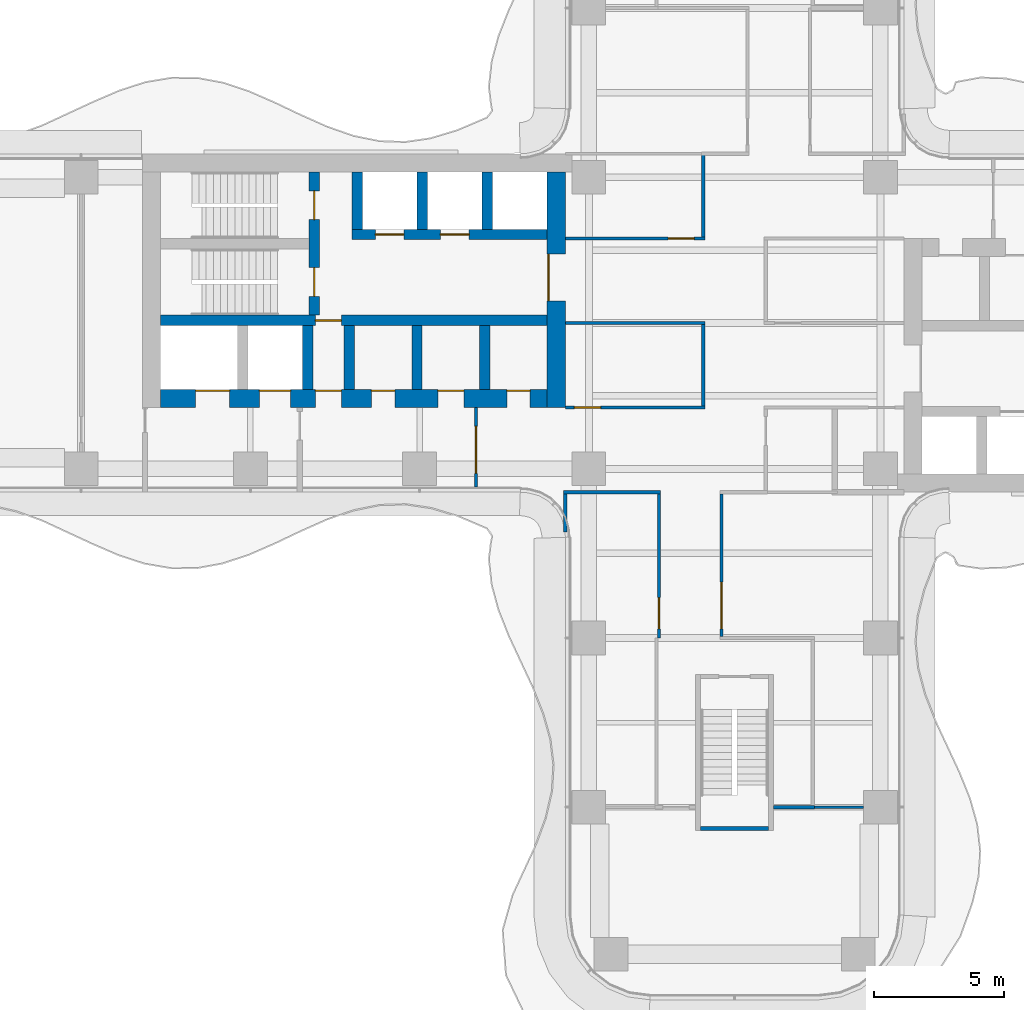
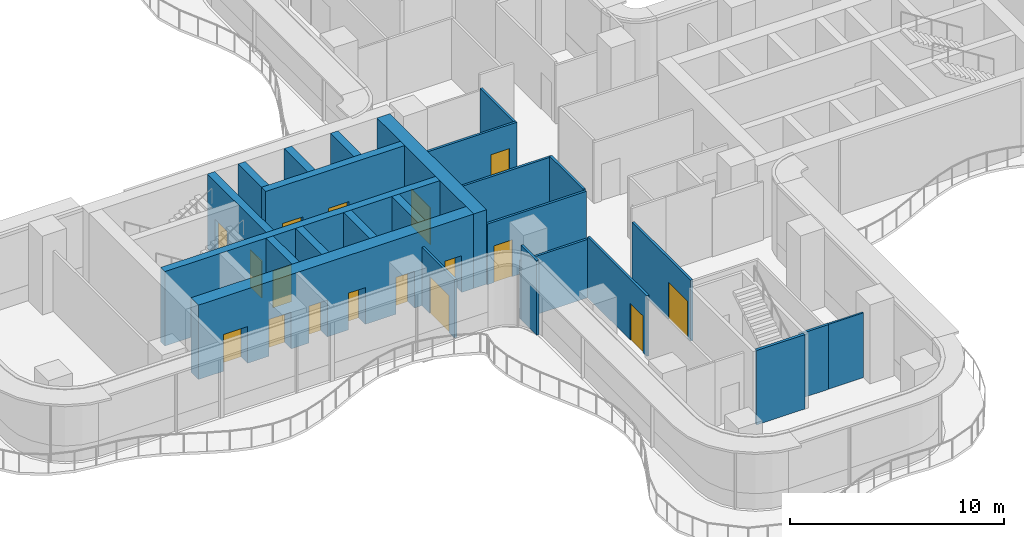
# One storey, part 15 of 20: 25 walls, 17 doors, 17 openings.
"""IFC4 building model written with IfcOpenShell, lengths in metres."""

from ifc_helpers import new_model, si_unit, direction, frame, frame_2d, origin, place, context, subcontext, project, spatial, rectangle, extrude, source, transform, mapped, material, layer, layer_set, type_object, element, fill, save


model = new_model("IFC4")

# Units and contexts
model_context = context("Model", 3, precision=1e-05, world=origin(), true_north=direction((0.0, 1.0)))
body_context = subcontext(model_context, "Body", "Model", "MODEL_VIEW")
ifc_project = project(units=[si_unit("LENGTHUNIT", "METRE"), si_unit("AREAUNIT", "SQUARE_METRE"), si_unit("VOLUMEUNIT", "CUBIC_METRE"), si_unit("PLANEANGLEUNIT", "RADIAN"), si_unit("MASSUNIT", "GRAM", prefix="KILO")], contexts=[model_context])

# Site, building, storey
site_placement = place(None, origin())
site = spatial("IfcSite", under=ifc_project, at=site_placement, CompositionType="ELEMENT")
building_placement = place(site_placement, origin())
building = spatial("IfcBuilding", under=site, at=building_placement, Name="Trellis Farm Tower", CompositionType="ELEMENT")
storey_placement = place(building_placement, frame((0.0, 0.0, 133.5)))
storey = spatial("IfcBuildingStorey", under=building, at=storey_placement, Name="L28", CompositionType="ELEMENT", Elevation=133.5)

# Wall, opening, door
ifc_material_1 = material(Name="Concrete C70/85", Category="concrete")
ifc_layer_1 = layer(ifc_material_1, 0.699951171875)
ifc_layer_set_1 = layer_set([ifc_layer_1], Name="CORE OUTER WALL 700 CONCRETE C70/85")
wall_type_1 = type_object("IfcWallType", Name="CORE OUTER WALL 700 CONCRETE C70/85", PredefinedType="SHEAR", material=ifc_layer_set_1)
shared_shape_1 = source(origin(), body_context, "Body", "SweptSolid", [
    extrude(rectangle(XDim=9.050048828125, YDim=0.699951171875, at=frame_2d((4.52490234375, 0.0))), origin(), (0.0, 0.0, 1.0), 4.25),
])
wall_1_placement = place(storey_placement, frame((-6.85009765625, 5.800048828125, 0.0), z_axis=(0.0, 0.0, 1.0), x_axis=(0.0, -1.0, 0.0)))
wall_1 = element("IfcWall", 1, at=wall_1_placement, inside=storey, type_object=wall_type_1, Name="Core wall", PredefinedType="SHEAR", context=body_context, shape_type="MappedRepresentation", body=[
    mapped(shared_shape_1, transform((0.0, 0.0, 0.0))),
])
shared_shape_2 = source(origin(), body_context, "Body", "SweptSolid", [
    extrude(rectangle(XDim=1.800048828125, YDim=2.10009765625, at=frame_2d((0.89990234375, 1.050048828125))), frame((0.0, 0.360107421875, 0.0), z_axis=(0.0, -1.0, 0.0), x_axis=(1.0, 0.0, 0.0)), (0.0, 0.0, 1.0), 0.72021484375),
])
opening_1_placement = place(wall_1_placement, frame((3.14990234375, 0.0, 0.0)))
opening_1 = element("IfcOpeningElement", 2, at=opening_1_placement, cuts=wall_1, Name="Opening DC87", PredefinedType="OPENING", context=body_context, shape_type="MappedRepresentation", body=[
    mapped(shared_shape_2, transform((0.0, 0.0, 0.0))),
])
ifc_material_2 = material(Name="Steel", Category="steel")
door_type_1 = type_object("IfcDoorType", Name="CORE FIRE DOOR DOUBLE 1800 X 2100", OperationType="DOUBLE_DOOR_SINGLE_SWING", PredefinedType="DOOR", material=ifc_material_2)
shared_shape_3 = source(origin(), body_context, "Body", "SweptSolid", [
    extrude(rectangle(XDim=1.800048828125, YDim=2.10009765625, at=frame_2d((0.89990234375, 1.050048828125))), frame((0.0, -0.27490234375, 0.0), z_axis=(0.0, -1.0, 0.0), x_axis=(1.0, 0.0, 0.0)), (0.0, 0.0, 1.0), 0.050048828125),
])
door_1_placement = place(opening_1_placement, origin())
door_1 = element("IfcDoor", 3, at=door_1_placement, inside=storey, type_object=door_type_1, Name="Core door", OperationType="DOUBLE_DOOR_SINGLE_SWING", OverallHeight=2.10009765625, OverallWidth=1.800048828125, PredefinedType="DOOR", context=body_context, shape_type="MappedRepresentation", body=[
    mapped(shared_shape_3, transform((0.0, 0.0, 0.0))),
])
fill(opening_1, door_1)

# Walls
ifc_layer_2 = layer(ifc_material_1, 0.39990234375)
ifc_layer_set_2 = layer_set([ifc_layer_2], Name="CORE INNER WALL 400 CONCRETE C70/85")
wall_type_2 = type_object("IfcWallType", Name="CORE INNER WALL 400 CONCRETE C70/85", PredefinedType="SHEAR", material=ifc_layer_set_2)
shared_shape_4 = source(origin(), body_context, "Body", "SweptSolid", [
    extrude(rectangle(XDim=2.199951171875, YDim=0.39990234375, at=frame_2d((1.10009765625, 0.0))), origin(), (0.0, 0.0, 1.0), 4.25),
])
for number, where, z_axis, x_axis, name in (
    (4, (-9.5, 5.800048828125, 0.0), (0.0, 0.0, 1.0), (0.0, -1.0, 0.0), "Core wall"),
    (5, (-12.0, 5.800048828125, 0.0), (0.0, 0.0, 1.0), (0.0, -1.0, 0.0), "Core wall"),
    (6, (-14.5, 5.800048828125, 0.0), (0.0, 0.0, 1.0), (0.0, -1.0, 0.0), "Core wall"),
):
    element("IfcWall", number, at=place(storey_placement, frame(where, z_axis=z_axis, x_axis=x_axis)), inside=storey, type_object=wall_type_2, Name=name, PredefinedType="SHEAR", context=body_context, shape_type="MappedRepresentation", body=[
        mapped(shared_shape_4, transform((0.0, 0.0, 0.0))),
    ])
shared_shape_5 = source(origin(), body_context, "Body", "SweptSolid", [
    extrude(rectangle(XDim=2.449951171875, YDim=0.39990234375, at=frame_2d((1.22509765625, 0.0))), origin(), (0.0, 0.0, 1.0), 4.25),
])
for number, where, z_axis, x_axis, name in (
    (7, (-9.60009765625, -0.10009765625, 0.0), (0.0, 0.0, 1.0), (0.0, -1.0, 0.0), "Core wall"),
    (8, (-12.199951171875, -0.10009765625, 0.0), (0.0, 0.0, 1.0), (0.0, -1.0, 0.0), "Core wall"),
    (9, (-14.800048828125, -0.10009765625, 0.0), (0.0, 0.0, 1.0), (0.0, -1.0, 0.0), "Core wall"),
    (10, (-16.39990234375, -0.10009765625, 0.0), (0.0, 0.0, 1.0), (0.0, -1.0, 0.0), "Core wall"),
):
    element("IfcWall", number, at=place(storey_placement, frame(where, z_axis=z_axis, x_axis=x_axis)), inside=storey, type_object=wall_type_2, Name=name, PredefinedType="SHEAR", context=body_context, shape_type="MappedRepresentation", body=[
        mapped(shared_shape_5, transform((0.0, 0.0, 0.0))),
    ])

# Wall, openings, doors
shared_shape_6 = source(origin(), body_context, "Body", "SweptSolid", [
    extrude(rectangle(XDim=14.85009765625, YDim=0.699951171875, at=frame_2d((7.425048828125, 0.0))), origin(), (0.0, 0.0, 1.0), 4.25),
])
wall_2_placement = place(storey_placement, frame((-7.199951171875, -2.89990234375, 0.0), z_axis=(0.0, 0.0, 1.0), x_axis=(-1.0, 0.0, 0.0)))
wall_2 = element("IfcWall", 11, at=wall_2_placement, inside=storey, type_object=wall_type_1, Name="Core wall", PredefinedType="SHEAR", context=body_context, shape_type="MappedRepresentation", body=[
    mapped(shared_shape_6, transform((0.0, 0.0, 0.0))),
])
shared_shape_7 = source(origin(), body_context, "Body", "SweptSolid", [
    extrude(rectangle(XDim=1.300048828125, YDim=2.10009765625, at=frame_2d((0.64990234375, 1.050048828125))), frame((0.0, 0.360107421875, 0.0), z_axis=(0.0, -1.0, 0.0), x_axis=(1.0, 0.0, 0.0)), (0.0, 0.0, 1.0), 0.72021484375),
])
opening_2_placement = place(wall_2_placement, frame((12.199951171875, 0.0, 0.0)))
opening_2 = element("IfcOpeningElement", 12, at=opening_2_placement, cuts=wall_2, Name="Opening LD15", PredefinedType="OPENING", context=body_context, shape_type="MappedRepresentation", body=[
    mapped(shared_shape_7, transform((0.0, 0.0, 0.0))),
])
shared_shape_8 = source(origin(), body_context, "Body", "SweptSolid", [
    extrude(rectangle(XDim=1.199951171875, YDim=2.10009765625, at=frame_2d((0.60009765625, 1.050048828125))), frame((0.0, 0.360107421875, 0.0), z_axis=(0.0, -1.0, 0.0), x_axis=(1.0, 0.0, 0.0)), (0.0, 0.0, 1.0), 0.72021484375),
])
opening_3_placement = place(wall_2_placement, frame((9.85009765625, 0.0, 0.0)))
opening_3 = element("IfcOpeningElement", 13, at=opening_3_placement, cuts=wall_2, Name="Opening LD16", PredefinedType="OPENING", context=body_context, shape_type="MappedRepresentation", body=[
    mapped(shared_shape_8, transform((0.0, 0.0, 0.0))),
])
shared_shape_9 = source(origin(), body_context, "Body", "SweptSolid", [
    extrude(rectangle(XDim=1.0, YDim=2.10009765625, at=frame_2d((0.5, 1.050048828125))), frame((0.0, 0.360107421875, 0.0), z_axis=(0.0, -1.0, 0.0), x_axis=(1.0, 0.0, 0.0)), (0.0, 0.0, 1.0), 0.72021484375),
])
opening_4_placement = place(wall_2_placement, frame((7.89990234375, 0.0, 0.0)))
opening_4 = element("IfcOpeningElement", 14, at=opening_4_placement, cuts=wall_2, Name="Opening DC92", PredefinedType="OPENING", context=body_context, shape_type="MappedRepresentation", body=[
    mapped(shared_shape_9, transform((0.0, 0.0, 0.0))),
])
shared_shape_10 = source(origin(), body_context, "Body", "SweptSolid", [
    extrude(rectangle(XDim=0.89990234375, YDim=2.10009765625, at=frame_2d((0.449951171875, 1.050048828125))), frame((0.0, 0.360107421875, 0.0), z_axis=(0.0, -1.0, 0.0), x_axis=(1.0, 0.0, 0.0)), (0.0, 0.0, 1.0), 0.72021484375),
])
opening_5_placement = place(wall_2_placement, frame((0.64990234375, 0.0, 0.0)))
opening_5 = element("IfcOpeningElement", 15, at=opening_5_placement, cuts=wall_2, Name="Opening DC97", PredefinedType="OPENING", context=body_context, shape_type="MappedRepresentation", body=[
    mapped(shared_shape_10, transform((0.0, 0.0, 0.0))),
])
opening_6_placement = place(wall_2_placement, frame((3.199951171875, 0.0, 0.0)))
opening_6 = element("IfcOpeningElement", 16, at=opening_6_placement, cuts=wall_2, Name="Opening DC112", PredefinedType="OPENING", context=body_context, shape_type="MappedRepresentation", body=[
    mapped(shared_shape_9, transform((0.0, 0.0, 0.0))),
])
opening_7_placement = place(wall_2_placement, frame((5.85009765625, 0.0, 0.0)))
opening_7 = element("IfcOpeningElement", 17, at=opening_7_placement, cuts=wall_2, Name="Opening DC121", PredefinedType="OPENING", context=body_context, shape_type="MappedRepresentation", body=[
    mapped(shared_shape_10, transform((0.0, 0.0, 0.0))),
])
door_type_2 = type_object("IfcDoorType", Name="CORE FIRE DOOR 1000 X 2100", OperationType="NOTDEFINED", PredefinedType="DOOR", material=ifc_material_2)
shared_shape_11 = source(origin(), body_context, "Body", "SweptSolid", [
    extrude(rectangle(XDim=1.0, YDim=2.10009765625, at=frame_2d((0.5, 1.050048828125))), frame((0.0, -0.27490234375, 0.0), z_axis=(0.0, -1.0, 0.0), x_axis=(1.0, 0.0, 0.0)), (0.0, 0.0, 1.0), 0.050048828125),
])
door_2_placement = place(opening_4_placement, origin())
door_2 = element("IfcDoor", 18, at=door_2_placement, inside=storey, type_object=door_type_2, Name="Core door", OperationType="SINGLE_SWING_LEFT", OverallHeight=2.10009765625, OverallWidth=1.0, PredefinedType="DOOR", context=body_context, shape_type="MappedRepresentation", body=[
    mapped(shared_shape_11, transform((0.0, 0.0, 0.0))),
])
fill(opening_4, door_2)
door_3_placement = place(opening_6_placement, origin())
door_3 = element("IfcDoor", 19, at=door_3_placement, inside=storey, type_object=door_type_2, Name="Core door", OperationType="SINGLE_SWING_RIGHT", OverallHeight=2.10009765625, OverallWidth=1.0, PredefinedType="DOOR", context=body_context, shape_type="MappedRepresentation", body=[
    mapped(shared_shape_11, transform((0.0, 0.0, 0.0))),
])
fill(opening_6, door_3)
door_type_3 = type_object("IfcDoorType", Name="CORE FIRE DOOR 900 X 2100", OperationType="NOTDEFINED", PredefinedType="DOOR", material=ifc_material_2)
shared_shape_12 = source(origin(), body_context, "Body", "SweptSolid", [
    extrude(rectangle(XDim=0.89990234375, YDim=2.10009765625, at=frame_2d((0.449951171875, 1.050048828125))), frame((0.0, -0.27490234375, 0.0), z_axis=(0.0, -1.0, 0.0), x_axis=(1.0, 0.0, 0.0)), (0.0, 0.0, 1.0), 0.050048828125),
])
door_4_placement = place(opening_5_placement, origin())
door_4 = element("IfcDoor", 20, at=door_4_placement, inside=storey, type_object=door_type_3, Name="Core door", OperationType="SINGLE_SWING_LEFT", OverallHeight=2.10009765625, OverallWidth=0.89990234375, PredefinedType="DOOR", context=body_context, shape_type="MappedRepresentation", body=[
    mapped(shared_shape_12, transform((0.0, 0.0, 0.0))),
])
fill(opening_5, door_4)
door_5_placement = place(opening_7_placement, origin())
door_5 = element("IfcDoor", 21, at=door_5_placement, inside=storey, type_object=door_type_3, Name="Core door", OperationType="SINGLE_SWING_LEFT", OverallHeight=2.10009765625, OverallWidth=0.89990234375, PredefinedType="DOOR", context=body_context, shape_type="MappedRepresentation", body=[
    mapped(shared_shape_12, transform((0.0, 0.0, 0.0))),
])
fill(opening_7, door_5)
ifc_material_3 = material(Name="Stainless steel", Category="steel")
door_type_4 = type_object("IfcDoorType", Name="LIFT LANDING DOOR 1300 X 2100", OperationType="DOUBLE_DOOR_SLIDING", PredefinedType="DOOR", material=ifc_material_3)
shared_shape_13 = source(origin(), body_context, "Body", "SweptSolid", [
    extrude(rectangle(XDim=1.300048828125, YDim=2.10009765625, at=frame_2d((0.64990234375, 1.050048828125))), frame((0.0, -0.27490234375, 0.0), z_axis=(0.0, -1.0, 0.0), x_axis=(1.0, 0.0, 0.0)), (0.0, 0.0, 1.0), 0.050048828125),
])
door_6_placement = place(opening_2_placement, origin())
door_6 = element("IfcDoor", 22, at=door_6_placement, inside=storey, type_object=door_type_4, Name="Lift landing door", OperationType="DOUBLE_DOOR_SLIDING", OverallHeight=2.10009765625, OverallWidth=1.300048828125, PredefinedType="DOOR", context=body_context, shape_type="MappedRepresentation", body=[
    mapped(shared_shape_13, transform((0.0, 0.0, 0.0))),
])
fill(opening_2, door_6)
door_type_5 = type_object("IfcDoorType", Name="LIFT LANDING DOOR 1200 X 2100", OperationType="DOUBLE_DOOR_SLIDING", PredefinedType="DOOR", material=ifc_material_3)
shared_shape_14 = source(origin(), body_context, "Body", "SweptSolid", [
    extrude(rectangle(XDim=1.199951171875, YDim=2.10009765625, at=frame_2d((0.60009765625, 1.050048828125))), frame((0.0, -0.27490234375, 0.0), z_axis=(0.0, -1.0, 0.0), x_axis=(1.0, 0.0, 0.0)), (0.0, 0.0, 1.0), 0.050048828125),
])
door_7_placement = place(opening_3_placement, origin())
door_7 = element("IfcDoor", 23, at=door_7_placement, inside=storey, type_object=door_type_5, Name="Lift landing door", OperationType="DOUBLE_DOOR_SLIDING", OverallHeight=2.10009765625, OverallWidth=1.199951171875, PredefinedType="DOOR", context=body_context, shape_type="MappedRepresentation", body=[
    mapped(shared_shape_14, transform((0.0, 0.0, 0.0))),
])
fill(opening_3, door_7)

shared_shape_15 = source(origin(), body_context, "Body", "SweptSolid", [
    extrude(rectangle(XDim=7.5, YDim=0.39990234375, at=frame_2d((3.75, 0.0))), origin(), (0.0, 0.0, 1.0), 4.25),
])
wall_3_placement = place(storey_placement, frame((-7.199951171875, 3.39990234375, 0.0), z_axis=(0.0, 0.0, 1.0), x_axis=(-1.0, 0.0, 0.0)))
wall_3 = element("IfcWall", 24, at=wall_3_placement, inside=storey, type_object=wall_type_2, Name="Core wall", PredefinedType="SHEAR", context=body_context, shape_type="MappedRepresentation", body=[
    mapped(shared_shape_15, transform((0.0, 0.0, 0.0))),
])
shared_shape_16 = source(origin(), body_context, "Body", "SweptSolid", [
    extrude(rectangle(XDim=1.10009765625, YDim=2.10009765625, at=frame_2d((0.550048828125, 1.050048828125))), frame((0.0, 0.2099609375, 0.0), z_axis=(0.0, -1.0, 0.0), x_axis=(1.0, 0.0, 0.0)), (0.0, 0.0, 1.0), 0.419921875),
])
opening_8_placement = place(wall_3_placement, frame((3.0, 0.0, 0.0)))
opening_8 = element("IfcOpeningElement", 25, at=opening_8_placement, cuts=wall_3, Name="Opening LD10", PredefinedType="OPENING", context=body_context, shape_type="MappedRepresentation", body=[
    mapped(shared_shape_16, transform((0.0, 0.0, 0.0))),
])
opening_9_placement = place(wall_3_placement, frame((5.5, 0.0, 0.0)))
opening_9 = element("IfcOpeningElement", 26, at=opening_9_placement, cuts=wall_3, Name="Opening LD11", PredefinedType="OPENING", context=body_context, shape_type="MappedRepresentation", body=[
    mapped(shared_shape_16, transform((0.0, 0.0, 0.0))),
])
door_type_6 = type_object("IfcDoorType", Name="LIFT LANDING DOOR 1100 X 2100", OperationType="DOUBLE_DOOR_SLIDING", PredefinedType="DOOR", material=ifc_material_3)
shared_shape_17 = source(origin(), body_context, "Body", "SweptSolid", [
    extrude(rectangle(XDim=1.10009765625, YDim=2.10009765625, at=frame_2d((0.550048828125, 1.050048828125))), frame((0.0, 0.02490234375, 0.0), z_axis=(0.0, -1.0, 0.0), x_axis=(1.0, 0.0, 0.0)), (0.0, 0.0, 1.0), 0.050048828125),
])
door_8_placement = place(opening_8_placement, origin())
door_8 = element("IfcDoor", 27, at=door_8_placement, inside=storey, type_object=door_type_6, Name="Lift landing door", OperationType="DOUBLE_DOOR_SLIDING", OverallHeight=2.10009765625, OverallWidth=1.10009765625, PredefinedType="DOOR", context=body_context, shape_type="MappedRepresentation", body=[
    mapped(shared_shape_17, transform((0.0, 0.0, 0.0))),
])
fill(opening_8, door_8)
door_9_placement = place(opening_9_placement, origin())
door_9 = element("IfcDoor", 28, at=door_9_placement, inside=storey, type_object=door_type_6, Name="Lift landing door", OperationType="DOUBLE_DOOR_SLIDING", OverallHeight=2.10009765625, OverallWidth=1.10009765625, PredefinedType="DOOR", context=body_context, shape_type="MappedRepresentation", body=[
    mapped(shared_shape_17, transform((0.0, 0.0, 0.0))),
])
fill(opening_9, door_9)

# Wall, opening, door
shared_shape_18 = source(origin(), body_context, "Body", "SweptSolid", [
    extrude(rectangle(XDim=14.85009765625, YDim=0.39990234375, at=frame_2d((7.425048828125, 0.0))), origin(), (0.0, 0.0, 1.0), 4.25),
])
wall_4_placement = place(storey_placement, frame((-7.199951171875, 0.10009765625, 0.0), z_axis=(0.0, 0.0, 1.0), x_axis=(-1.0, 0.0, 0.0)))
wall_4 = element("IfcWall", 29, at=wall_4_placement, inside=storey, type_object=wall_type_2, Name="Core wall", PredefinedType="SHEAR", context=body_context, shape_type="MappedRepresentation", body=[
    mapped(shared_shape_18, transform((0.0, 0.0, 0.0))),
])
shared_shape_19 = source(origin(), body_context, "Body", "SweptSolid", [
    extrude(rectangle(XDim=1.0, YDim=2.10009765625, at=frame_2d((0.5, 1.050048828125))), frame((0.0, 0.2099609375, 0.0), z_axis=(0.0, -1.0, 0.0), x_axis=(1.0, 0.0, 0.0)), (0.0, 0.0, 1.0), 0.419921875),
])
opening_10_placement = place(wall_4_placement, frame((7.89990234375, 0.0, 0.0)))
opening_10 = element("IfcOpeningElement", 30, at=opening_10_placement, cuts=wall_4, Name="Opening DC91", PredefinedType="OPENING", context=body_context, shape_type="MappedRepresentation", body=[
    mapped(shared_shape_19, transform((0.0, 0.0, 0.0))),
])
shared_shape_20 = source(origin(), body_context, "Body", "SweptSolid", [
    extrude(rectangle(XDim=1.0, YDim=2.10009765625, at=frame_2d((0.5, 1.050048828125))), frame((0.0, 0.02490234375, 0.0), z_axis=(0.0, -1.0, 0.0), x_axis=(1.0, 0.0, 0.0)), (0.0, 0.0, 1.0), 0.050048828125),
])
door_10_placement = place(opening_10_placement, origin())
door_10 = element("IfcDoor", 31, at=door_10_placement, inside=storey, type_object=door_type_2, Name="Core door", OperationType="SINGLE_SWING_RIGHT", OverallHeight=2.10009765625, OverallWidth=1.0, PredefinedType="DOOR", context=body_context, shape_type="MappedRepresentation", body=[
    mapped(shared_shape_20, transform((0.0, 0.0, 0.0))),
])
fill(opening_10, door_10)

# Wall, openings, doors
shared_shape_21 = source(origin(), body_context, "Body", "SweptSolid", [
    extrude(rectangle(XDim=5.5, YDim=0.39990234375, at=frame_2d((2.75, 0.0))), origin(), (0.0, 0.0, 1.0), 4.25),
])
wall_5_placement = place(storey_placement, frame((-16.14990234375, 5.800048828125, 0.0), z_axis=(0.0, 0.0, 1.0), x_axis=(0.0, -1.0, 0.0)))
wall_5 = element("IfcWall", 32, at=wall_5_placement, inside=storey, type_object=wall_type_2, Name="Core wall", PredefinedType="SHEAR", context=body_context, shape_type="MappedRepresentation", body=[
    mapped(shared_shape_21, transform((0.0, 0.0, 0.0))),
])
opening_11_placement = place(wall_5_placement, frame((0.72509765625, 0.0, 0.0)))
opening_11 = element("IfcOpeningElement", 33, at=opening_11_placement, cuts=wall_5, Name="Opening DC88", PredefinedType="OPENING", context=body_context, shape_type="MappedRepresentation", body=[
    mapped(shared_shape_16, transform((0.0, 0.0, 0.0))),
])
opening_12_placement = place(wall_5_placement, frame((3.675048828125, 0.0, 0.0)))
opening_12 = element("IfcOpeningElement", 34, at=opening_12_placement, cuts=wall_5, Name="Opening DC89", PredefinedType="OPENING", context=body_context, shape_type="MappedRepresentation", body=[
    mapped(shared_shape_16, transform((0.0, 0.0, 0.0))),
])
door_type_7 = type_object("IfcDoorType", Name="CORE FIRE DOOR 1100 X 2100", OperationType="NOTDEFINED", PredefinedType="DOOR", material=ifc_material_2)
door_11_placement = place(opening_11_placement, origin())
door_11 = element("IfcDoor", 35, at=door_11_placement, inside=storey, type_object=door_type_7, Name="Core door", OperationType="SINGLE_SWING_RIGHT", OverallHeight=2.10009765625, OverallWidth=1.10009765625, PredefinedType="DOOR", context=body_context, shape_type="MappedRepresentation", body=[
    mapped(shared_shape_17, transform((0.0, 0.0, 0.0))),
])
fill(opening_11, door_11)
door_12_placement = place(opening_12_placement, origin())
door_12 = element("IfcDoor", 36, at=door_12_placement, inside=storey, type_object=door_type_7, Name="Core door", OperationType="SINGLE_SWING_LEFT", OverallHeight=2.10009765625, OverallWidth=1.10009765625, PredefinedType="DOOR", context=body_context, shape_type="MappedRepresentation", body=[
    mapped(shared_shape_17, transform((0.0, 0.0, 0.0))),
])
fill(opening_12, door_12)

# Walls
ifc_layer_3 = layer(ifc_material_1, 0.14990234375)
ifc_layer_set_3 = layer_set([ifc_layer_3], Name="CORE STAIR ENCLOSURE WALL 150 CONCRETE C70/85")
wall_type_3 = type_object("IfcWallType", Name="CORE STAIR ENCLOSURE WALL 150 CONCRETE C70/85", PredefinedType="SHEAR", material=ifc_layer_set_3)
shared_shape_22 = source(origin(), body_context, "Body", "SweptSolid", [
    extrude(rectangle(XDim=2.60009765625, YDim=0.14990234375, at=frame_2d((1.300048828125, 0.0))), origin(), (0.0, 0.0, 1.0), 4.25),
])
wall_6_placement = place(storey_placement, frame((1.300048828125, -19.425048828125, 0.0), z_axis=(0.0, 0.0, 1.0), x_axis=(-1.0, 0.0, 0.0)))
element("IfcWall", 37, at=wall_6_placement, inside=storey, type_object=wall_type_3, Name="Stair enclosure wall", PredefinedType="SHEAR", context=body_context, shape_type="MappedRepresentation", body=[
    mapped(shared_shape_22, transform((0.0, 0.0, 0.0))),
])
ifc_material_4 = material(Name="Plasterboard on steel studs, mineral wool", Category="steel")
ifc_layer_4 = layer(ifc_material_4, 0.125)
ifc_layer_set_4 = layer_set([ifc_layer_4], Name="PARTITION 125 STUD EI 60")
wall_type_4 = type_object("IfcWallType", Name="PARTITION 125 STUD EI 60", PredefinedType="PARTITIONING", material=ifc_layer_set_4)
shared_shape_23 = source(origin(), body_context, "Body", "SweptSolid", [
    extrude(rectangle(XDim=3.125, YDim=0.125, at=frame_2d((1.5625, 0.0))), origin(), (0.0, 0.0, 1.0), 3.54638671875),
])
wall_7_placement = place(storey_placement, frame((-1.199951171875, -0.0625, 0.0), z_axis=(0.0, 0.0, 1.0), x_axis=(0.0, -1.0, 0.0)))
element("IfcWall", 38, at=wall_7_placement, inside=storey, type_object=wall_type_4, Name="Partition PW1", PredefinedType="PARTITIONING", context=body_context, shape_type="MappedRepresentation", body=[
    mapped(shared_shape_23, transform((0.0, 0.0, 0.0))),
])

# Wall, opening, door
shared_shape_24 = source(origin(), body_context, "Body", "SweptSolid", [
    extrude(rectangle(XDim=5.47509765625, YDim=0.125, at=frame_2d((2.737548828125, 0.0))), origin(), (0.0, 0.0, 1.0), 3.4677734375),
])
wall_8_placement = place(storey_placement, frame((-0.5, -12.03759765625, 0.0), z_axis=(0.0, 0.0, 1.0), x_axis=(0.0, 1.0, 0.0)))
wall_8 = element("IfcWall", 39, at=wall_8_placement, inside=storey, type_object=wall_type_4, Name="Partition PW1", PredefinedType="PARTITIONING", context=body_context, shape_type="MappedRepresentation", body=[
    mapped(shared_shape_24, transform((0.0, 0.0, 0.0))),
])
shared_shape_25 = source(origin(), body_context, "Body", "SweptSolid", [
    extrude(rectangle(XDim=1.800048828125, YDim=2.10009765625, at=frame_2d((0.89990234375, 1.050048828125))), frame((0.0, 0.072509765625, 0.0), z_axis=(0.0, -1.0, 0.0), x_axis=(1.0, 0.0, 0.0)), (0.0, 0.0, 1.0), 0.14501953125),
])
opening_13_placement = place(wall_8_placement, frame((0.28759765625, 0.0, 0.0)))
opening_13 = element("IfcOpeningElement", 40, at=opening_13_placement, cuts=wall_8, Name="Opening D201", PredefinedType="OPENING", context=body_context, shape_type="MappedRepresentation", body=[
    mapped(shared_shape_25, transform((0.0, 0.0, 0.0))),
])
ifc_material_5 = material(Name="Fire-rated timber door leaf in a hollow metal frame", Category="wood")
door_type_8 = type_object("IfcDoorType", Name="DOOR PAIR 1800x2100 FD30S", OperationType="NOTDEFINED", PredefinedType="DOOR", material=ifc_material_5)
shared_shape_26 = source(origin(), body_context, "Body", "SweptSolid", [
    extrude(rectangle(XDim=1.800048828125, YDim=2.10009765625, at=frame_2d((0.89990234375, 1.050048828125))), frame((0.0, 0.02490234375, 0.0), z_axis=(0.0, -1.0, 0.0), x_axis=(1.0, 0.0, 0.0)), (0.0, 0.0, 1.0), 0.050048828125),
])
door_13_placement = place(opening_13_placement, origin())
door_13 = element("IfcDoor", 41, at=door_13_placement, inside=storey, type_object=door_type_8, Name="Door D201", OperationType="DOUBLE_DOOR_SINGLE_SWING", OverallHeight=2.10009765625, OverallWidth=1.800048828125, PredefinedType="DOOR", context=body_context, shape_type="MappedRepresentation", body=[
    mapped(shared_shape_26, transform((0.0, 0.0, 0.0))),
])
fill(opening_13, door_13)

# Wall
shared_shape_27 = source(origin(), body_context, "Body", "SweptSolid", [
    extrude(rectangle(XDim=1.468994140625, YDim=0.125, at=frame_2d((0.734375, 0.0))), origin(), (0.0, 0.0, 1.0), 4.25),
])
wall_9_placement = place(storey_placement, frame((-6.5, -6.5625, 0.0), z_axis=(0.0, 0.0, 1.0), x_axis=(0.0, -1.0, 0.0)))
element("IfcWall", 42, at=wall_9_placement, inside=storey, type_object=wall_type_4, Name="Partition PW1", PredefinedType="PARTITIONING", context=body_context, shape_type="MappedRepresentation", body=[
    mapped(shared_shape_27, transform((0.0, 0.0, 0.0))),
])

# Wall, opening, door
shared_shape_28 = source(origin(), body_context, "Body", "SweptSolid", [
    extrude(rectangle(XDim=5.362548828125, YDim=0.125, at=frame_2d((2.68115234375, 0.0))), origin(), (0.0, 0.0, 1.0), 3.4677734375),
])
wall_10_placement = place(storey_placement, frame((-1.137451171875, -3.25, 0.0), z_axis=(0.0, 0.0, 1.0), x_axis=(-1.0, 0.0, 0.0)))
wall_10 = element("IfcWall", 43, at=wall_10_placement, inside=storey, type_object=wall_type_4, Name="Partition PW1", PredefinedType="PARTITIONING", context=body_context, shape_type="MappedRepresentation", body=[
    mapped(shared_shape_28, transform((0.0, 0.0, 0.0))),
])
shared_shape_29 = source(origin(), body_context, "Body", "SweptSolid", [
    extrude(rectangle(XDim=1.0, YDim=2.10009765625, at=frame_2d((0.5, 1.050048828125))), frame((0.0, 0.072509765625, 0.0), z_axis=(0.0, -1.0, 0.0), x_axis=(1.0, 0.0, 0.0)), (0.0, 0.0, 1.0), 0.14501953125),
])
opening_14_placement = place(wall_10_placement, frame((4.012451171875, 0.0, 0.0)))
opening_14 = element("IfcOpeningElement", 44, at=opening_14_placement, cuts=wall_10, Name="Opening D103", PredefinedType="OPENING", context=body_context, shape_type="MappedRepresentation", body=[
    mapped(shared_shape_29, transform((0.0, 0.0, 0.0))),
])
door_type_9 = type_object("IfcDoorType", Name="DOOR 1000x2100 FD30S", OperationType="NOTDEFINED", PredefinedType="DOOR", material=ifc_material_5)
door_14_placement = place(opening_14_placement, origin())
door_14 = element("IfcDoor", 45, at=door_14_placement, inside=storey, type_object=door_type_9, Name="Door D103", OperationType="SINGLE_SWING_RIGHT", OverallHeight=2.10009765625, OverallWidth=1.0, PredefinedType="DOOR", context=body_context, shape_type="MappedRepresentation", body=[
    mapped(shared_shape_20, transform((0.0, 0.0, 0.0))),
])
fill(opening_14, door_14)

# Wall
wall_11_placement = place(storey_placement, frame((-1.137451171875, 0.0, 0.0), z_axis=(0.0, 0.0, 1.0), x_axis=(-1.0, 0.0, 0.0)))
element("IfcWall", 46, at=wall_11_placement, inside=storey, type_object=wall_type_4, Name="Partition PW1", PredefinedType="PARTITIONING", context=body_context, shape_type="MappedRepresentation", body=[
    mapped(shared_shape_28, transform((0.0, 0.0, 0.0))),
])

# Wall, opening, door
wall_12_placement = place(storey_placement, frame((-6.5, 3.25, 0.0), z_axis=(0.0, 0.0, 1.0), x_axis=(1.0, 0.0, 0.0)))
wall_12 = element("IfcWall", 47, at=wall_12_placement, inside=storey, type_object=wall_type_4, Name="Partition PW1", PredefinedType="PARTITIONING", context=body_context, shape_type="MappedRepresentation", body=[
    mapped(shared_shape_28, transform((0.0, 0.0, 0.0))),
])
opening_15_placement = place(wall_12_placement, frame((3.949951171875, 0.0, 0.0)))
opening_15 = element("IfcOpeningElement", 48, at=opening_15_placement, cuts=wall_12, Name="Opening D105", PredefinedType="OPENING", context=body_context, shape_type="MappedRepresentation", body=[
    mapped(shared_shape_29, transform((0.0, 0.0, 0.0))),
])
door_15_placement = place(opening_15_placement, origin())
door_15 = element("IfcDoor", 49, at=door_15_placement, inside=storey, type_object=door_type_9, Name="Door D105", OperationType="SINGLE_SWING_RIGHT", OverallHeight=2.10009765625, OverallWidth=1.0, PredefinedType="DOOR", context=body_context, shape_type="MappedRepresentation", body=[
    mapped(shared_shape_20, transform((0.0, 0.0, 0.0))),
])
fill(opening_15, door_15)

# Wall
shared_shape_30 = source(origin(), body_context, "Body", "SweptSolid", [
    extrude(rectangle(XDim=3.137451171875, YDim=0.125, at=frame_2d((1.56884765625, 0.0))), origin(), (0.0, 0.0, 1.0), 3.4677734375),
])
wall_13_placement = place(storey_placement, frame((-1.199951171875, 6.449951171875, 0.0), z_axis=(0.0, 0.0, 1.0), x_axis=(0.0, -1.0, 0.0)))
element("IfcWall", 50, at=wall_13_placement, inside=storey, type_object=wall_type_4, Name="Partition PW1", PredefinedType="PARTITIONING", context=body_context, shape_type="MappedRepresentation", body=[
    mapped(shared_shape_30, transform((0.0, 0.0, 0.0))),
])

# Wall, opening, door
shared_shape_31 = source(origin(), body_context, "Body", "SweptSolid", [
    extrude(rectangle(XDim=3.050048828125, YDim=0.125, at=frame_2d((1.52490234375, 0.0))), origin(), (0.0, 0.0, 1.0), 3.330078125),
])
wall_14_placement = place(storey_placement, frame((-9.93408203125, -6.300048828125, 0.0), z_axis=(0.0, 0.0, 1.0), x_axis=(0.0, 1.0, 0.0)))
wall_14 = element("IfcWall", 51, at=wall_14_placement, inside=storey, type_object=wall_type_4, Name="Partition PW1", PredefinedType="PARTITIONING", context=body_context, shape_type="MappedRepresentation", body=[
    mapped(shared_shape_31, transform((0.0, 0.0, 0.0))),
])
opening_16_placement = place(wall_14_placement, frame((0.52490234375, 0.0, 0.0)))
opening_16 = element("IfcOpeningElement", 52, at=opening_16_placement, cuts=wall_14, Name="Opening D401", PredefinedType="OPENING", context=body_context, shape_type="MappedRepresentation", body=[
    mapped(shared_shape_25, transform((0.0, 0.0, 0.0))),
])
door_type_10 = type_object("IfcDoorType", Name="DOOR PAIR 1800x2100 FD60", OperationType="NOTDEFINED", PredefinedType="DOOR", material=ifc_material_5)
door_16_placement = place(opening_16_placement, origin())
door_16 = element("IfcDoor", 53, at=door_16_placement, inside=storey, type_object=door_type_10, Name="Door D401", OperationType="DOUBLE_DOOR_SINGLE_SWING", OverallHeight=2.10009765625, OverallWidth=1.800048828125, PredefinedType="DOOR", context=body_context, shape_type="MappedRepresentation", body=[
    mapped(shared_shape_26, transform((0.0, 0.0, 0.0))),
])
fill(opening_16, door_16)

# Wall
shared_shape_32 = source(origin(), body_context, "Body", "SweptSolid", [
    extrude(rectangle(XDim=1.5625, YDim=0.125, at=frame_2d((0.78125, 0.0))), origin(), (0.0, 0.0, 1.0), 3.697021484375),
])
wall_15_placement = place(storey_placement, frame((3.0625, -18.60009765625, 0.0), z_axis=(0.0, 0.0, 1.0), x_axis=(-1.0, 0.0, 0.0)))
element("IfcWall", 54, at=wall_15_placement, inside=storey, type_object=wall_type_4, Name="Partition PW1", PredefinedType="PARTITIONING", context=body_context, shape_type="MappedRepresentation", body=[
    mapped(shared_shape_32, transform((0.0, 0.0, 0.0))),
])

# Wall, opening, door
shared_shape_33 = source(origin(), body_context, "Body", "SweptSolid", [
    extrude(rectangle(XDim=5.53759765625, YDim=0.125, at=frame_2d((2.768798828125, 0.0))), origin(), (0.0, 0.0, 1.0), 3.4677734375),
])
wall_16_placement = place(storey_placement, frame((-2.89990234375, -12.10009765625, 0.0), z_axis=(0.0, 0.0, 1.0), x_axis=(0.0, 1.0, 0.0)))
wall_16 = element("IfcWall", 55, at=wall_16_placement, inside=storey, type_object=wall_type_4, Name="Partition PW1", PredefinedType="PARTITIONING", context=body_context, shape_type="MappedRepresentation", body=[
    mapped(shared_shape_33, transform((0.0, 0.0, 0.0))),
])
shared_shape_34 = source(origin(), body_context, "Body", "SweptSolid", [
    extrude(rectangle(XDim=1.199951171875, YDim=2.10009765625, at=frame_2d((0.60009765625, 1.050048828125))), frame((0.0, 0.072509765625, 0.0), z_axis=(0.0, -1.0, 0.0), x_axis=(1.0, 0.0, 0.0)), (0.0, 0.0, 1.0), 0.14501953125),
])
opening_17_placement = place(wall_16_placement, frame((0.35009765625, 0.0, 0.0)))
opening_17 = element("IfcOpeningElement", 56, at=opening_17_placement, cuts=wall_16, Name="Opening D601", PredefinedType="OPENING", context=body_context, shape_type="MappedRepresentation", body=[
    mapped(shared_shape_34, transform((0.0, 0.0, 0.0))),
])
door_type_11 = type_object("IfcDoorType", Name="DOOR 1200x2100 FD30S", OperationType="NOTDEFINED", PredefinedType="DOOR", material=ifc_material_5)
shared_shape_35 = source(origin(), body_context, "Body", "SweptSolid", [
    extrude(rectangle(XDim=1.199951171875, YDim=2.10009765625, at=frame_2d((0.60009765625, 1.050048828125))), frame((0.0, 0.02490234375, 0.0), z_axis=(0.0, -1.0, 0.0), x_axis=(1.0, 0.0, 0.0)), (0.0, 0.0, 1.0), 0.050048828125),
])
door_17_placement = place(opening_17_placement, origin())
door_17 = element("IfcDoor", 57, at=door_17_placement, inside=storey, type_object=door_type_11, Name="Door D601", OperationType="SINGLE_SWING_LEFT", OverallHeight=2.10009765625, OverallWidth=1.199951171875, PredefinedType="DOOR", context=body_context, shape_type="MappedRepresentation", body=[
    mapped(shared_shape_35, transform((0.0, 0.0, 0.0))),
])
fill(opening_17, door_17)

# Walls
shared_shape_36 = source(origin(), body_context, "Body", "SweptSolid", [
    extrude(rectangle(XDim=3.72509765625, YDim=0.125, at=frame_2d((1.862548828125, 0.0))), origin(), (0.0, 0.0, 1.0), 3.330078125),
])
wall_17_placement = place(storey_placement, frame((-2.83740234375, -6.5, 0.0), z_axis=(0.0, 0.0, 1.0), x_axis=(-1.0, 0.0, 0.0)))
element("IfcWall", 58, at=wall_17_placement, inside=storey, type_object=wall_type_4, Name="Partition PW1", PredefinedType="PARTITIONING", context=body_context, shape_type="MappedRepresentation", body=[
    mapped(shared_shape_36, transform((0.0, 0.0, 0.0))),
])
ifc_material_6 = material(Name="Plasterboard on steel studs", Category="steel")
ifc_layer_5 = layer(ifc_material_6, 0.10009765625)
ifc_layer_set_5 = layer_set([ifc_layer_5], Name="PARTITION 100 STUD EI 30")
wall_type_5 = type_object("IfcWallType", Name="PARTITION 100 STUD EI 30", PredefinedType="PARTITIONING", material=ifc_layer_set_5)
shared_shape_37 = source(origin(), body_context, "Body", "SweptSolid", [
    extrude(rectangle(XDim=2.012451171875, YDim=0.10009765625, at=frame_2d((1.00634765625, 0.0))), origin(), (0.0, 0.0, 1.0), 3.697021484375),
])
wall_18_placement = place(storey_placement, frame((2.9375, -18.60009765625, 0.0), z_axis=(0.0, 0.0, 1.0), x_axis=(1.0, 0.0, 0.0)))
element("IfcWall", 59, at=wall_18_placement, inside=storey, type_object=wall_type_5, Name="Partition PW2", PredefinedType="PARTITIONING", context=body_context, shape_type="MappedRepresentation", body=[
    mapped(shared_shape_37, transform((0.0, 0.0, 0.0))),
])

save(model, "model.ifc")
